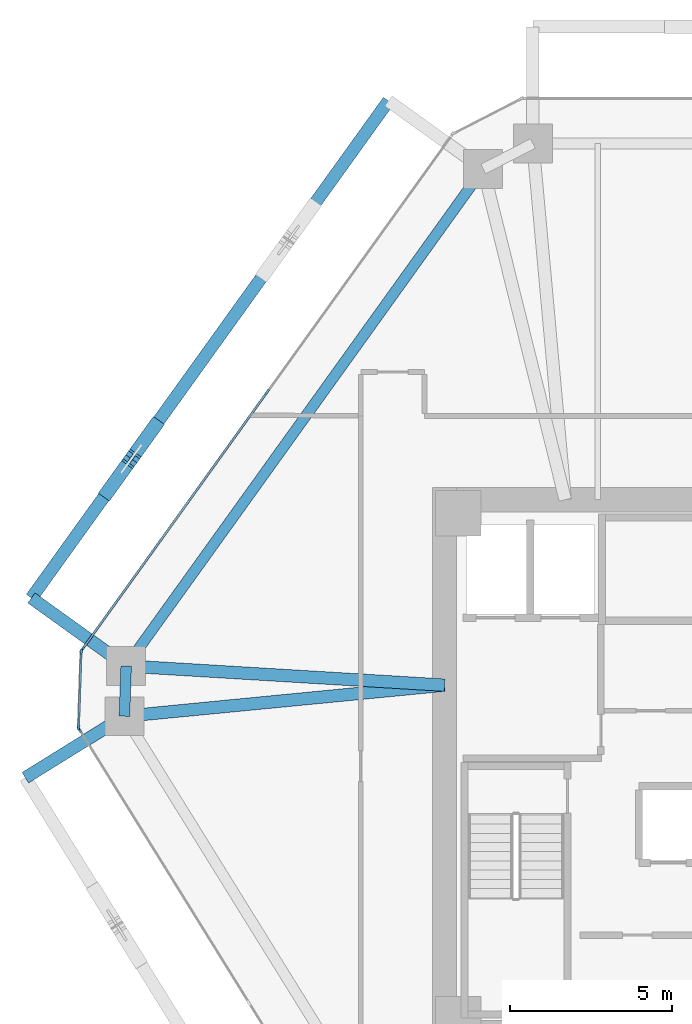
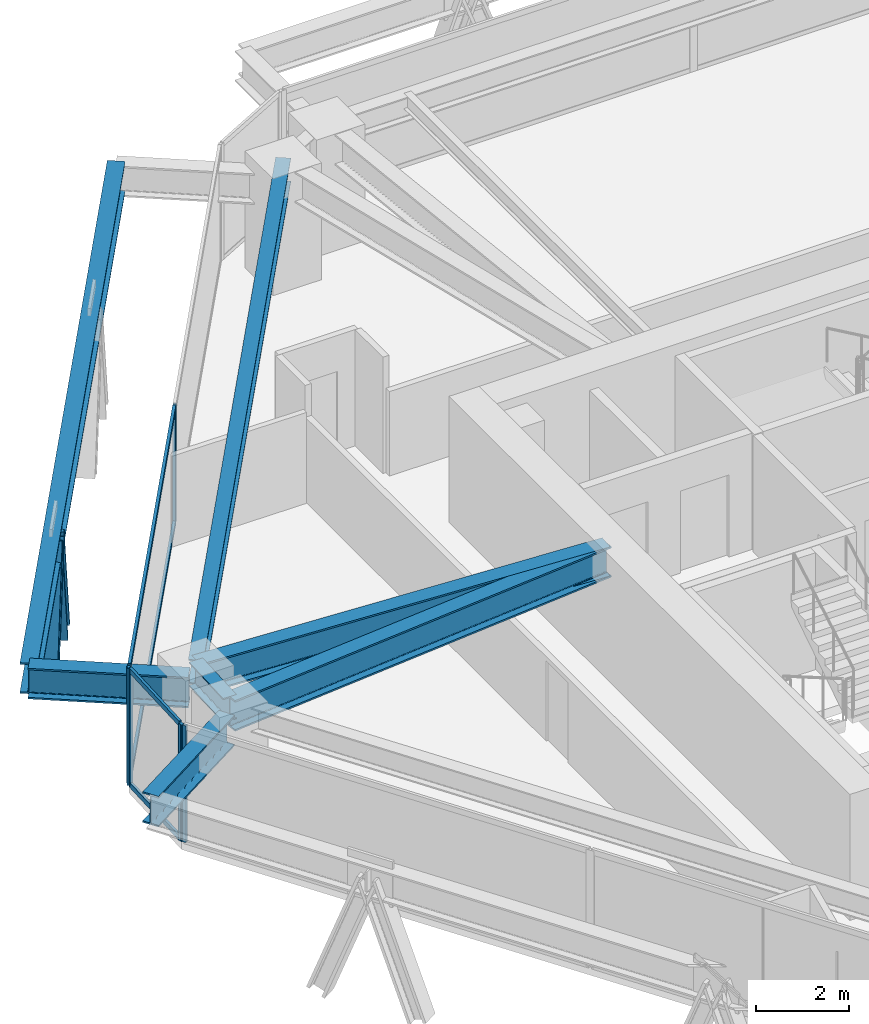
# One storey, part 4 of 15: 11 members, 7 beams, 3 elements without a shape of their own.
"""IFC4 building model written with IfcOpenShell, lengths in metres."""

import ifcopenshell
import ifcopenshell.guid

model = None  # the IFC model being written
_history = None  # IfcOwnerHistory: only IFC2X3 demands one
_inside = {}  # id of a spatial element -> (the spatial element, [elements in it])
_under = {}  # id of a project, library or spatial element -> (it, [spatial elements below it])
_declared = {}  # id of a project -> (the project, [libraries it declares])
_typed = {}  # id of a type object -> (the type object, [elements of that type])
_made_of = {}  # id of a material, layer set ... -> (it, [elements and type objects made of it])


def new_model(schema):
    """Start an empty IFC model of exactly this schema.

    Asked for "IFC4X3", IfcOpenShell would pick the latest addendum, in which some entities
    have other attributes; the version numbers below select the first issue.
    IFC2X3 requires an IfcOwnerHistory on every rooted entity: one is made here for all.
    """
    global model, _history
    if schema == "IFC4X3":
        model = ifcopenshell.file(schema_version=(4, 3, 0, 0))
    else:
        model = ifcopenshell.file(schema=schema)
    _inside.clear()
    _under.clear()
    _declared.clear()
    _typed.clear()
    _made_of.clear()
    _history = None
    if model.schema == "IFC2X3":
        org = make("IfcOrganization", Name="unknown")
        user = make(
            "IfcPersonAndOrganization",
            ThePerson=make("IfcPerson", FamilyName="unknown"),
            TheOrganization=org,
        )
        app = make(
            "IfcApplication",
            ApplicationDeveloper=org,
            Version="unknown",
            ApplicationFullName="unknown",
            ApplicationIdentifier="unknown",
        )
        _history = make(
            "IfcOwnerHistory",
            OwningUser=user,
            OwningApplication=app,
            ChangeAction="ADDED",
            CreationDate=0,
        )
    return model


def make(cls, **values):
    """One entity of the class cls with the attributes given. An attribute that is None is left unset."""
    return model.create_entity(
        cls, **{name: value for name, value in values.items() if value is not None}
    )


def rooted(cls, **values):
    """An entity with a GlobalId (a new one), such as an element, a storey or a relation."""
    return make(cls, GlobalId=ifcopenshell.guid.new(), OwnerHistory=_history, **values)


def si_unit(unit_type, name, prefix=None):
    """IfcSIUnit, for example si_unit("LENGTHUNIT", "METRE", prefix="MILLI")."""
    return make("IfcSIUnit", UnitType=unit_type, Prefix=prefix, Name=name)


def assignment(units):
    """IfcUnitAssignment: the units of a project."""
    return None if units is None else make("IfcUnitAssignment", Units=units)


def point(xyz):
    """IfcCartesianPoint."""
    return None if xyz is None else make("IfcCartesianPoint", Coordinates=xyz)


def direction(xyz):
    """IfcDirection."""
    return None if xyz is None else make("IfcDirection", DirectionRatios=xyz)


def frame(location, z_axis=None, x_axis=None):
    """IfcAxis2Placement3D, a coordinate frame: its origin and axes. An axis left out is left unset."""
    return make(
        "IfcAxis2Placement3D",
        Location=point(location),
        Axis=direction(z_axis),
        RefDirection=direction(x_axis),
    )


def frame_2d(location, x_axis=None):
    """IfcAxis2Placement2D, a coordinate frame in the plane: its origin and x axis."""
    return make(
        "IfcAxis2Placement2D", Location=point(location), RefDirection=direction(x_axis)
    )


def origin():
    """The frame at (0, 0, 0) with its axes left unset."""
    return frame((0.0, 0.0, 0.0))


def origin_2d():
    """The frame at (0, 0) in the plane with its x axis left unset."""
    return frame_2d((0.0, 0.0))


def place(relative_to, where):
    """IfcLocalPlacement: puts the frame where relative to a parent placement (None: the world)."""
    return make(
        "IfcLocalPlacement", PlacementRelTo=relative_to, RelativePlacement=where
    )


def context(
    kind, dimensions, precision=None, world=None, true_north=None, identifier=None
):
    """IfcGeometricRepresentationContext, for example the 3D "Model" context."""
    return make(
        "IfcGeometricRepresentationContext",
        ContextIdentifier=identifier,
        ContextType=kind,
        CoordinateSpaceDimension=dimensions,
        Precision=precision,
        WorldCoordinateSystem=world,
        TrueNorth=true_north,
    )


def subcontext(parent, identifier, kind, view, scale=None):
    """IfcGeometricRepresentationSubContext, for example "Body" below "Model"."""
    return make(
        "IfcGeometricRepresentationSubContext",
        ContextIdentifier=identifier,
        ContextType=kind,
        ParentContext=parent,
        TargetScale=scale,
        TargetView=view,
    )


def project(units=None, contexts=None):
    """IfcProject with its units and contexts."""
    return rooted(
        "IfcProject",
        Name="project",
        RepresentationContexts=contexts,
        UnitsInContext=assignment(units),
    )


def spatial(cls, under=None, at=None, **own):
    """A site, building, storey or space (cls), placed at a placement, below another one or the project."""
    s = rooted(cls, ObjectPlacement=at, **own)
    if under is not None:
        _under.setdefault(under.id(), (under, []))[1].append(s)
    return s


def profile(cls, at=None, kind="AREA", **sizes):
    """A parametric profile (cls). Its sizes go by their IFC names, for example OverallWidth=200.0."""
    return make(cls, ProfileType=kind, Position=at, **sizes)


def rectangle(**sizes):
    """IfcRectangleProfileDef."""
    return profile("IfcRectangleProfileDef", **sizes)


def i_section(**sizes):
    """IfcIShapeProfileDef."""
    return profile("IfcIShapeProfileDef", **sizes)


def extrude(swept, where, along, depth):
    """IfcExtrudedAreaSolid: the profile swept, set in the frame where, extruded along a direction by depth."""
    return make(
        "IfcExtrudedAreaSolid",
        SweptArea=swept,
        Position=where,
        ExtrudedDirection=direction(along),
        Depth=depth,
    )


def shape(context_of_items, identifier, shape_type, items):
    """IfcShapeRepresentation: the items that make up one representation, for example the "Body"."""
    return make(
        "IfcShapeRepresentation",
        ContextOfItems=context_of_items,
        RepresentationIdentifier=identifier,
        RepresentationType=shape_type,
        Items=items,
    )


def source(mapping_origin, context_of_items, identifier, shape_type, items):
    """IfcRepresentationMap: a shape defined once, which mapped items show again and again."""
    return make(
        "IfcRepresentationMap",
        MappingOrigin=mapping_origin,
        MappedRepresentation=shape(context_of_items, identifier, shape_type, items),
    )


def transform(
    local_origin,
    x_axis=None,
    y_axis=None,
    z_axis=None,
    scale=None,
    scale2=None,
    scale3=None,
    uniform=True,
):
    """IfcCartesianTransformationOperator3D, or its non-uniform kind. x_axis, y_axis, z_axis: its Axis1, 2, 3."""
    if uniform:
        return make(
            "IfcCartesianTransformationOperator3D",
            Axis1=direction(x_axis),
            Axis2=direction(y_axis),
            LocalOrigin=point(local_origin),
            Scale=scale,
            Axis3=direction(z_axis),
        )
    return make(
        "IfcCartesianTransformationOperator3DnonUniform",
        Axis1=direction(x_axis),
        Axis2=direction(y_axis),
        LocalOrigin=point(local_origin),
        Scale=scale,
        Axis3=direction(z_axis),
        Scale2=scale2,
        Scale3=scale3,
    )


def mapped(mapping_source, mapping_target):
    """IfcMappedItem: shows the shape of a source again, moved by a transform."""
    return make(
        "IfcMappedItem", MappingSource=mapping_source, MappingTarget=mapping_target
    )


def material(Name=None, Category=None):
    """IfcMaterial."""
    return make("IfcMaterial", Name=Name, Category=Category)


def layer(
    of_material, thickness, ventilated=None, Name=None, Category=None, Priority=None
):
    """IfcMaterialLayer: one layer of a wall or slab, of a material (None: an air gap)."""
    return make(
        "IfcMaterialLayer",
        Material=of_material,
        LayerThickness=thickness,
        IsVentilated=ventilated,
        Name=Name,
        Category=Category,
        Priority=Priority,
    )


def layer_set(layers, Name=None):
    """IfcMaterialLayerSet."""
    return make("IfcMaterialLayerSet", MaterialLayers=layers, LayerSetName=Name)


def material_profile(
    of_material, cross_section, Name=None, Category=None, Priority=None
):
    """IfcMaterialProfile: a cross section and its material."""
    return make(
        "IfcMaterialProfile",
        Name=Name,
        Material=of_material,
        Profile=cross_section,
        Priority=Priority,
        Category=Category,
    )


def profile_set(profiles, Name=None, composite=None):
    """IfcMaterialProfileSet."""
    return make(
        "IfcMaterialProfileSet",
        Name=Name,
        MaterialProfiles=profiles,
        CompositeProfile=composite,
    )


def made_of(thing, what):
    """Note that an element or type object is made of a material, layer set ...; save() writes the relation."""
    if what is not None:
        _made_of.setdefault(what.id(), (what, []))[1].append(thing)
    return thing


def type_object(cls, material=None, **own):
    """A type object (cls), such as IfcWallType, which elements share."""
    return made_of(rooted(cls, **own), material)


def type_shapes(of_type, sources):
    """Give a type object the sources (RepresentationMaps) that its elements show as mapped items."""
    of_type.RepresentationMaps = sources


def element(
    cls,
    number,
    at=None,
    inside=None,
    cuts=None,
    type_object=None,
    material=None,
    context=None,
    identifier="Body",
    shape_type=None,
    held_by="IfcProductDefinitionShape",
    body=None,
    shapes=None,
    **own,
):
    """One element of the class cls, such as IfcWall. Its Tag is "e" and its number.

    at: its placement. inside: the storey or other place that contains it. cuts: it is an
    opening in that element (IfcRelVoidsElement). A single representation is given by context,
    identifier, shape_type and body (its items); several are given by shapes. held_by: the class
    of the entity that holds the representations. save() writes the other relations.
    """
    e = rooted(cls, Tag="e%d" % number, ObjectPlacement=at, **own)
    if body is not None:
        shapes = [shape(context, identifier, shape_type, body)]
    if shapes is not None:
        e.Representation = make(held_by, Representations=shapes)
    if inside is not None:
        _inside.setdefault(inside.id(), (inside, []))[1].append(e)
    if cuts is not None:
        rooted(
            "IfcRelVoidsElement", RelatingBuildingElement=cuts, RelatedOpeningElement=e
        )
    if type_object is not None:
        _typed.setdefault(type_object.id(), (type_object, []))[1].append(e)
    return made_of(e, material)


def aggregate(whole, parts):
    """IfcRelAggregates: a whole, such as a stair, and the parts it consists of."""
    return rooted("IfcRelAggregates", RelatingObject=whole, RelatedObjects=parts)


def save(model, path):
    """Write the relations noted so far, then the file.

    IfcRelAggregates (storeys below a building ...), IfcRelContainedInSpatialStructure (elements
    in a storey), IfcRelDefinesByType, IfcRelAssociatesMaterial and IfcRelDeclares: one each for
    every whole, place, type object, material and project.
    """
    for whole, parts in _under.values():
        aggregate(whole, parts)
    for where, things in _inside.values():
        rooted(
            "IfcRelContainedInSpatialStructure",
            RelatedElements=things,
            RelatingStructure=where,
        )
    for kind, things in _typed.values():
        rooted("IfcRelDefinesByType", RelatedObjects=things, RelatingType=kind)
    for what, things in _made_of.values():
        rooted("IfcRelAssociatesMaterial", RelatedObjects=things, RelatingMaterial=what)
    for by, libraries in _declared.values():
        rooted("IfcRelDeclares", RelatingContext=by, RelatedDefinitions=libraries)
    model.write(path)


model = new_model("IFC4")

# Units and contexts
model_context = context("Model", 3, precision=1e-05, world=origin(), true_north=direction((0.0, 1.0)))
body_context = subcontext(model_context, "Body", "Model", "MODEL_VIEW")
ifc_project = project(units=[si_unit("LENGTHUNIT", "METRE"), si_unit("AREAUNIT", "SQUARE_METRE"), si_unit("VOLUMEUNIT", "CUBIC_METRE"), si_unit("PLANEANGLEUNIT", "RADIAN"), si_unit("MASSUNIT", "GRAM", prefix="KILO")], contexts=[model_context])

# Site, building, storey
site_placement = place(None, origin())
site = spatial("IfcSite", under=ifc_project, at=site_placement, CompositionType="ELEMENT")
building_placement = place(site_placement, origin())
building = spatial("IfcBuilding", under=site, at=building_placement, Name="Durnholm Broadcast Tower", CompositionType="ELEMENT")
storey_placement = place(building_placement, frame((0.0, 0.0, 104.10009765625)))
storey = spatial("IfcBuildingStorey", under=building, at=storey_placement, Name="L27", CompositionType="ELEMENT", Elevation=104.10009765625)

# Beams
ifc_material_1 = material(Name="Steel ASTM A992 Grade 50", Category="steel")
ifc_material_profile_1 = material_profile(ifc_material_1, i_section(OverallWidth=0.385009765625, OverallDepth=0.802978515625, WebThickness=0.023681640625, FlangeThickness=0.0419921875, FilletRadius=0.032958984375, at=origin_2d()), Name="W30X261")
ifc_profile_set_1 = profile_set([ifc_material_profile_1], Name="Steel ASTM A992 Grade 50")
beam_type_1 = type_object("IfcBeamType", Name="BM-EXO-TIE", PredefinedType="USERDEFINED", material=ifc_profile_set_1)
shared_shape_1 = source(origin(), body_context, "Body", "SweptSolid", [
    extrude(i_section(OverallWidth=0.385009765625, OverallDepth=0.802978515625, WebThickness=0.023681640625, FlangeThickness=0.0419921875, FilletRadius=0.032958984375, at=origin_2d()), origin(), (0.0, 0.0, 1.0), 3.4560546875),
])
for number, where, z_axis, x_axis, name in (
    (1, (-20.1669921875, 3.175048828125, 2.30859375), (-0.812164951739, 0.583427880005, 0.0), (-0.583427880005, -0.812164951739, 0.0), "L27 exoskeleton stand-off tie bracket F5.2"),
    (2, (-20.22509765625, 1.465576171875, 2.30859375), (-0.849795112316, -0.527113144481, 0.0), (0.527113144481, -0.849795112316, 0.0), "L27 exoskeleton stand-off tie bracket F6.1"),
):
    element("IfcBeam", number, at=place(storey_placement, frame(where, z_axis=z_axis, x_axis=x_axis)), inside=storey, type_object=beam_type_1, Name=name, ObjectType="GIRDER", PredefinedType="USERDEFINED", context=body_context, shape_type="MappedRepresentation", body=[
        mapped(shared_shape_1, transform((0.0, 0.0, 0.0), x_axis=(1.0, 0.0, 0.0), y_axis=(0.0, 1.0, 0.0), z_axis=(0.0, 0.0, 1.0), scale=1.0)),
    ])
ifc_material_profile_2 = material_profile(ifc_material_1, i_section(OverallWidth=0.3291015625, OverallDepth=0.635009765625, WebThickness=0.017822265625, FlangeThickness=0.031005859375, FilletRadius=0.02783203125, at=origin_2d()), Name="W24X162")
ifc_profile_set_2 = profile_set([ifc_material_profile_2], Name="Steel ASTM A992 Grade 50")
beam_type_2 = type_object("IfcBeamType", Name="STL-SP-W24X162", PredefinedType="SPANDREL", material=ifc_profile_set_2)
shared_shape_2 = source(origin(), body_context, "Body", "SweptSolid", [
    extrude(i_section(OverallWidth=0.3291015625, OverallDepth=0.635009765625, WebThickness=0.017822265625, FlangeThickness=0.031005859375, FilletRadius=0.02783203125, at=origin_2d()), origin(), (0.0, 0.0, 1.0), 1.550537109375),
])
beam_1_placement = place(storey_placement, frame((-20.102783203125, 1.54150390625, 2.727294921875), z_axis=(0.034012135923, 0.999421419928, 0.0), x_axis=(-0.999421419928, 0.034012135923, 0.0)))
element("IfcBeam", 3, at=beam_1_placement, inside=storey, type_object=beam_type_2, Name="L27 perimeter spandrel girder 02", PredefinedType="SPANDREL", context=body_context, shape_type="MappedRepresentation", body=[
    mapped(shared_shape_2, transform((0.0, 0.0, 0.0), x_axis=(1.0, 0.0, 0.0), y_axis=(0.0, 1.0, 0.0), z_axis=(0.0, 0.0, 1.0), scale=1.0)),
])
shared_shape_3 = source(origin(), body_context, "Body", "SweptSolid", [
    extrude(i_section(OverallWidth=0.3291015625, OverallDepth=0.635009765625, WebThickness=0.017822265625, FlangeThickness=0.031005859375, FilletRadius=0.02783203125, at=origin_2d()), origin(), (0.0, 0.0, 1.0), 18.884521484375),
])
type_shapes(beam_type_2, [shared_shape_2, shared_shape_3])
beam_2_placement = place(storey_placement, frame((-20.050048828125, 3.091064453125, 2.727294921875), z_axis=(0.583443434414, 0.812153777827, 0.0), x_axis=(-0.812153777827, 0.583443434414, 0.0)))
element("IfcBeam", 4, at=beam_2_placement, inside=storey, type_object=beam_type_2, Name="L27 perimeter spandrel girder 03", PredefinedType="SPANDREL", context=body_context, shape_type="MappedRepresentation", body=[
    mapped(shared_shape_3, transform((0.0, 0.0, 0.0), x_axis=(1.0, 0.0, 0.0), y_axis=(0.0, 1.0, 0.0), z_axis=(0.0, 0.0, 1.0), scale=1.0)),
])
ifc_material_profile_3 = material_profile(ifc_material_1, i_section(OverallWidth=0.385009765625, OverallDepth=0.802978515625, WebThickness=0.023681640625, FlangeThickness=0.0419921875, FilletRadius=0.032958984375, at=origin_2d()), Name="W30X261")
ifc_profile_set_3 = profile_set([ifc_material_profile_3], Name="Steel ASTM A992 Grade 50")
beam_type_3 = type_object("IfcBeamType", Name="STL-GR-W30X261", PredefinedType="USERDEFINED", material=ifc_profile_set_3)
shared_shape_4 = source(origin(), body_context, "Body", "SweptSolid", [
    extrude(i_section(OverallWidth=0.385009765625, OverallDepth=0.802978515625, WebThickness=0.023681640625, FlangeThickness=0.0419921875, FilletRadius=0.032958984375, at=origin_2d()), origin(), (0.0, 0.0, 1.0), 9.924072265625),
])
beam_3_placement = place(storey_placement, frame((-10.22509765625, 2.5, 2.643310546875), z_axis=(-0.995324947968, -0.096582855378, 0.0), x_axis=(0.096582855378, -0.995324947968, 0.0)))
element("IfcBeam", 5, at=beam_3_placement, inside=storey, type_object=beam_type_3, Name="L27 radial primary floor girder 02", ObjectType="GIRDER", PredefinedType="USERDEFINED", context=body_context, shape_type="MappedRepresentation", body=[
    mapped(shared_shape_4, transform((0.0, 0.0, 0.0), x_axis=(1.0, 0.0, 0.0), y_axis=(0.0, 1.0, 0.0), z_axis=(0.0, 0.0, 1.0), scale=1.0)),
])
shared_shape_5 = source(origin(), body_context, "Body", "SweptSolid", [
    extrude(i_section(OverallWidth=0.385009765625, OverallDepth=0.802978515625, WebThickness=0.023681640625, FlangeThickness=0.0419921875, FilletRadius=0.032958984375, at=origin_2d()), origin(), (0.0, 0.0, 1.0), 9.8427734375),
])
type_shapes(beam_type_3, [shared_shape_4, shared_shape_5])
beam_4_placement = place(storey_placement, frame((-10.22509765625, 2.5, 2.643310546875), z_axis=(-0.998195312551, 0.0600509617, 0.0), x_axis=(-0.0600509617, -0.998195312551, 0.0)))
element("IfcBeam", 6, at=beam_4_placement, inside=storey, type_object=beam_type_3, Name="L27 radial primary floor girder 03", ObjectType="GIRDER", PredefinedType="USERDEFINED", context=body_context, shape_type="MappedRepresentation", body=[
    mapped(shared_shape_5, transform((0.0, 0.0, 0.0), x_axis=(1.0, 0.0, 0.0), y_axis=(0.0, 1.0, 0.0), z_axis=(0.0, 0.0, 1.0), scale=1.0)),
])
shared_shape_6 = source(origin(), body_context, "Body", "SweptSolid", [
    extrude(i_section(OverallWidth=0.385009765625, OverallDepth=0.802978515625, WebThickness=0.023681640625, FlangeThickness=0.0419921875, FilletRadius=0.032958984375, at=origin_2d()), origin(), (0.0, 0.0, 1.0), 18.884765625),
])
type_shapes(beam_type_1, [shared_shape_1, shared_shape_6])
beam_5_placement = place(storey_placement, frame((-11.955810546875, 20.52880859375, 2.30859375), z_axis=(-0.583437308554, -0.812158178551, 0.0), x_axis=(0.812158178551, -0.583437308554, 0.0)))
element("IfcBeam", 7, at=beam_5_placement, inside=storey, type_object=beam_type_1, Name="L27 exoskeleton collector spandrel F5", PredefinedType="SPANDREL", context=body_context, shape_type="MappedRepresentation", body=[
    mapped(shared_shape_6, transform((0.0, 0.0, 0.0), x_axis=(1.0, 0.0, 0.0), y_axis=(0.0, 1.0, 0.0), z_axis=(0.0, 0.0, 1.0), scale=1.0)),
])

# Members
ifc_material_2 = material(Name="Steel ASTM A913 Grade 65", Category="steel")
ifc_material_profile_4 = material_profile(ifc_material_2, i_section(OverallWidth=0.424072265625, OverallDepth=0.47412109375, WebThickness=0.047607421875, FlangeThickness=0.0771484375, FilletRadius=0.030517578125, at=origin_2d()), Name="W14X426")
ifc_profile_set_4 = profile_set([ifc_material_profile_4], Name="Steel ASTM A913 Grade 65")
member_type_1 = type_object("IfcMemberType", Name="STL-DG-W14X426", PredefinedType="BRACE", material=ifc_profile_set_4)
shared_shape_7 = source(origin(), body_context, "Body", "SweptSolid", [
    extrude(i_section(OverallWidth=0.424072265625, OverallDepth=0.47412109375, WebThickness=0.047607421875, FlangeThickness=0.0771484375, FilletRadius=0.030517578125, at=origin_2d()), origin(), (0.0, 0.0, 1.0), 3.523193359375),
])
type_shapes(member_type_1, [shared_shape_7])
for number, where, z_axis, x_axis, name in (
    (8, (-19.1689453125, 10.488037109375, -0.991455078125), (-0.204350195342, -0.284454917557, 0.936657033039), (0.812153063014, -0.583444429434, 0.0), "L27 stand-off diagrid brace F5.D2.1"),
    (9, (-20.608642578125, 8.48388671875, -0.991455078125), (0.204287819296, 0.284395254542, 0.936688756248), (-0.812179469647, 0.583407669717, 0.0), "L27 stand-off diagrid brace F5.D2.2"),
):
    element("IfcMember", number, at=place(storey_placement, frame(where, z_axis=z_axis, x_axis=x_axis)), inside=storey, type_object=member_type_1, Name=name, PredefinedType="BRACE", context=body_context, shape_type="MappedRepresentation", body=[
        mapped(shared_shape_7, transform((0.0, 0.0, 0.0), x_axis=(1.0, 0.0, 0.0), y_axis=(0.0, 1.0, 0.0), z_axis=(0.0, 0.0, 1.0), scale=1.0)),
    ])

# Curtain wall, members
ifc_material_3 = material(Name="Aluminium and Solar Control IGU", Category="aluminium")
ifc_layer_1 = layer(ifc_material_3, 0.1650390625)
ifc_layer_set_1 = layer_set([ifc_layer_1], Name="Aluminium and Solar Control IGU")
curtain_wall_type_1 = type_object("IfcCurtainWallType", Name="CW-SYS-5", PredefinedType="NOTDEFINED", material=ifc_layer_set_1)
curtain_wall_1_placement = place(storey_placement, origin())
curtain_wall_1 = element("IfcCurtainWall", 10, at=curtain_wall_1_placement, inside=storey, type_object=curtain_wall_type_1, Name="L27 curtain wall CW-CORNER CW-L27-CRN-01", PredefinedType="NOTDEFINED")
ifc_material_4 = material(Name="Aluminium 6063-T6", Category="aluminium")
ifc_material_profile_5 = material_profile(ifc_material_4, rectangle(XDim=0.06494140625, YDim=0.1650390625, at=origin_2d()), Name="CWM65X165")
ifc_profile_set_5 = profile_set([ifc_material_profile_5], Name="Aluminium 6063-T6")
member_type_2 = type_object("IfcMemberType", Name="CW-SYS-5-MUL", PredefinedType="MULLION", material=ifc_profile_set_5)
shared_shape_8 = source(origin(), body_context, "Body", "SweptSolid", [
    extrude(rectangle(XDim=0.06494140625, YDim=0.1650390625, at=origin_2d()), origin(), (0.0, 0.0, 1.0), 3.059814453125),
])
type_shapes(member_type_2, [shared_shape_8])
member_1_placement = place(storey_placement, frame((-21.51513671875, 1.19677734375, 0.0), z_axis=(0.0, 0.0, 1.0), x_axis=(-0.999424655155, 0.033916937775, 0.0)))
member_1 = element("IfcMember", 11, at=member_1_placement, type_object=member_type_2, Name="CW-CORNER mullion 1", PredefinedType="MULLION", context=body_context, shape_type="MappedRepresentation", body=[
    mapped(shared_shape_8, transform((0.0, 0.0, 0.0), x_axis=(1.0, 0.0, 0.0), y_axis=(0.0, 1.0, 0.0), z_axis=(0.0, 0.0, 1.0), scale=1.0)),
])
member_2_placement = place(storey_placement, frame((-21.43603515625, 3.530517578125, 0.0), z_axis=(0.0, 0.0, 1.0), x_axis=(-0.999424655155, 0.033916937775, 0.0)))
member_2 = element("IfcMember", 12, at=member_2_placement, type_object=member_type_2, Name="CW-CORNER mullion 2", PredefinedType="MULLION", context=body_context, shape_type="MappedRepresentation", body=[
    mapped(shared_shape_8, transform((0.0, 0.0, 0.0), x_axis=(1.0, 0.0, 0.0), y_axis=(0.0, 1.0, 0.0), z_axis=(0.0, 0.0, 1.0), scale=1.0)),
])

ifc_layer_2 = layer(ifc_material_3, 0.18994140625)
ifc_layer_set_2 = layer_set([ifc_layer_2], Name="Aluminium and Solar Control IGU")
curtain_wall_type_2 = type_object("IfcCurtainWallType", Name="CW-SYS-3", PredefinedType="NOTDEFINED", material=ifc_layer_set_2)
curtain_wall_2_placement = place(storey_placement, origin())
curtain_wall_2 = element("IfcCurtainWall", 13, at=curtain_wall_2_placement, inside=storey, type_object=curtain_wall_type_2, Name="L27 curtain wall CW-Z12-VIS CW-L27-F02", PredefinedType="NOTDEFINED")
ifc_material_profile_6 = material_profile(ifc_material_4, rectangle(XDim=0.070068359375, YDim=0.18994140625, at=origin_2d()), Name="CWM70X190")
ifc_profile_set_6 = profile_set([ifc_material_profile_6], Name="Aluminium 6063-T6")
member_type_3 = type_object("IfcMemberType", Name="CW-SYS-3-MUL", PredefinedType="MULLION", material=ifc_profile_set_6)
shared_shape_9 = source(origin(), body_context, "Body", "SweptSolid", [
    extrude(rectangle(XDim=0.070068359375, YDim=0.18994140625, at=origin_2d()), origin(), (0.0, 0.0, 1.0), 3.059814453125),
])
type_shapes(member_type_3, [shared_shape_9])
member_3_placement = place(storey_placement, frame((-21.41455078125, 3.59130859375, 0.0), z_axis=(0.0, 0.0, 1.0), x_axis=(-0.812152312759, 0.583445473786, 0.0)))
member_3 = element("IfcMember", 14, at=member_3_placement, type_object=member_type_3, Name="CW-Z12-VIS mullion 1", PredefinedType="MULLION", context=body_context, shape_type="MappedRepresentation", body=[
    mapped(shared_shape_9, transform((0.0, 0.0, 0.0), x_axis=(1.0, 0.0, 0.0), y_axis=(0.0, 1.0, 0.0), z_axis=(0.0, 0.0, 1.0), scale=1.0)),
])
member_4_placement = place(storey_placement, frame((-15.703369140625, 11.541259765625, 0.0), z_axis=(0.0, 0.0, 1.0), x_axis=(-0.812152312759, 0.583445473786, 0.0)))
member_4 = element("IfcMember", 15, at=member_4_placement, type_object=member_type_3, Name="CW-Z12-VIS mullion 2", PredefinedType="MULLION", context=body_context, shape_type="MappedRepresentation", body=[
    mapped(shared_shape_9, transform((0.0, 0.0, 0.0), x_axis=(1.0, 0.0, 0.0), y_axis=(0.0, 1.0, 0.0), z_axis=(0.0, 0.0, 1.0), scale=1.0)),
])

# Curtain wall, member
curtain_wall_3_placement = place(storey_placement, origin())
curtain_wall_3 = element("IfcCurtainWall", 16, at=curtain_wall_3_placement, inside=storey, type_object=curtain_wall_type_2, Name="L27 curtain wall CW-Z12-VIS CW-L27-F12", PredefinedType="NOTDEFINED")
member_5_placement = place(storey_placement, frame((-21.497802734375, 1.134765625, 0.0), z_axis=(0.0, 0.0, 1.0), x_axis=(-0.849799925229, -0.527105385176, 0.0)))
member_5 = element("IfcMember", 17, at=member_5_placement, type_object=member_type_3, Name="CW-Z12-VIS mullion 3", PredefinedType="MULLION", context=body_context, shape_type="MappedRepresentation", body=[
    mapped(shared_shape_9, transform((0.0, 0.0, 0.0), x_axis=(1.0, 0.0, 0.0), y_axis=(0.0, 1.0, 0.0), z_axis=(0.0, 0.0, 1.0), scale=1.0)),
])
aggregate(curtain_wall_3, [member_5])

# Member
ifc_material_profile_7 = material_profile(ifc_material_4, rectangle(XDim=0.06494140625, YDim=0.1298828125, at=origin_2d()), Name="CWT65X130")
ifc_profile_set_7 = profile_set([ifc_material_profile_7], Name="Aluminium 6063-T6")
member_type_4 = type_object("IfcMemberType", Name="CW-SYS-5-TRN", PredefinedType="USERDEFINED", material=ifc_profile_set_7)
shared_shape_10 = source(origin(), body_context, "Body", "SweptSolid", [
    extrude(rectangle(XDim=0.06494140625, YDim=0.1298828125, at=origin_2d()), origin(), (0.0, 0.0, 1.0), 2.27001953125),
])
type_shapes(member_type_4, [shared_shape_10])
member_6_placement = place(storey_placement, frame((-21.51416015625, 1.229248046875, 0.032470703125), z_axis=(0.03398444704, 0.999422361847, 0.0), x_axis=(-0.999422361847, 0.03398444704, 0.0)))
member_6 = element("IfcMember", 18, at=member_6_placement, type_object=member_type_4, Name="CW-CORNER transom 1.1", ObjectType="TRANSOM", PredefinedType="USERDEFINED", context=body_context, shape_type="MappedRepresentation", body=[
    mapped(shared_shape_10, transform((0.0, 0.0, 0.0), x_axis=(1.0, 0.0, 0.0), y_axis=(0.0, 1.0, 0.0), z_axis=(0.0, 0.0, 1.0), scale=1.0)),
])

member_7_placement = place(storey_placement, frame((-21.51416015625, 1.229248046875, 3.02734375), z_axis=(0.03398444704, 0.999422361847, 0.0), x_axis=(-0.999422361847, 0.03398444704, 0.0)))
member_7 = element("IfcMember", 19, at=member_7_placement, type_object=member_type_4, Name="CW-CORNER transom 1.2", ObjectType="TRANSOM", PredefinedType="USERDEFINED", context=body_context, shape_type="MappedRepresentation", body=[
    mapped(shared_shape_10, transform((0.0, 0.0, 0.0), x_axis=(1.0, 0.0, 0.0), y_axis=(0.0, 1.0, 0.0), z_axis=(0.0, 0.0, 1.0), scale=1.0)),
])

aggregate(curtain_wall_1, [member_1, member_2, member_6, member_7])

ifc_material_profile_8 = material_profile(ifc_material_4, rectangle(XDim=0.070068359375, YDim=0.14990234375, at=origin_2d()), Name="CWT70X150")
ifc_profile_set_8 = profile_set([ifc_material_profile_8], Name="Aluminium 6063-T6")
member_type_5 = type_object("IfcMemberType", Name="CW-SYS-3-TRN", PredefinedType="USERDEFINED", material=ifc_profile_set_8)
shared_shape_11 = source(origin(), body_context, "Body", "SweptSolid", [
    extrude(rectangle(XDim=0.070068359375, YDim=0.14990234375, at=origin_2d()), origin(), (0.0, 0.0, 1.0), 9.71875),
])
type_shapes(member_type_5, [shared_shape_11])
member_8_placement = place(storey_placement, frame((-21.39404296875, 3.619873046875, 0.034912109375), z_axis=(0.583450726174, 0.812148539448, 0.0), x_axis=(-0.812148539448, 0.583450726174, 0.0)))
member_8 = element("IfcMember", 20, at=member_8_placement, type_object=member_type_5, Name="CW-Z12-VIS transom 1.1", ObjectType="TRANSOM", PredefinedType="USERDEFINED", context=body_context, shape_type="MappedRepresentation", body=[
    mapped(shared_shape_11, transform((0.0, 0.0, 0.0), x_axis=(1.0, 0.0, 0.0), y_axis=(0.0, 1.0, 0.0), z_axis=(0.0, 0.0, 1.0), scale=1.0)),
])

member_9_placement = place(storey_placement, frame((-21.39404296875, 3.619873046875, 3.02490234375), z_axis=(0.583450726174, 0.812148539448, 0.0), x_axis=(-0.812148539448, 0.583450726174, 0.0)))
member_9 = element("IfcMember", 21, at=member_9_placement, type_object=member_type_5, Name="CW-Z12-VIS transom 1.2", ObjectType="TRANSOM", PredefinedType="USERDEFINED", context=body_context, shape_type="MappedRepresentation", body=[
    mapped(shared_shape_11, transform((0.0, 0.0, 0.0), x_axis=(1.0, 0.0, 0.0), y_axis=(0.0, 1.0, 0.0), z_axis=(0.0, 0.0, 1.0), scale=1.0)),
])

aggregate(curtain_wall_2, [member_3, member_4, member_8, member_9])

save(model, "model.ifc")
